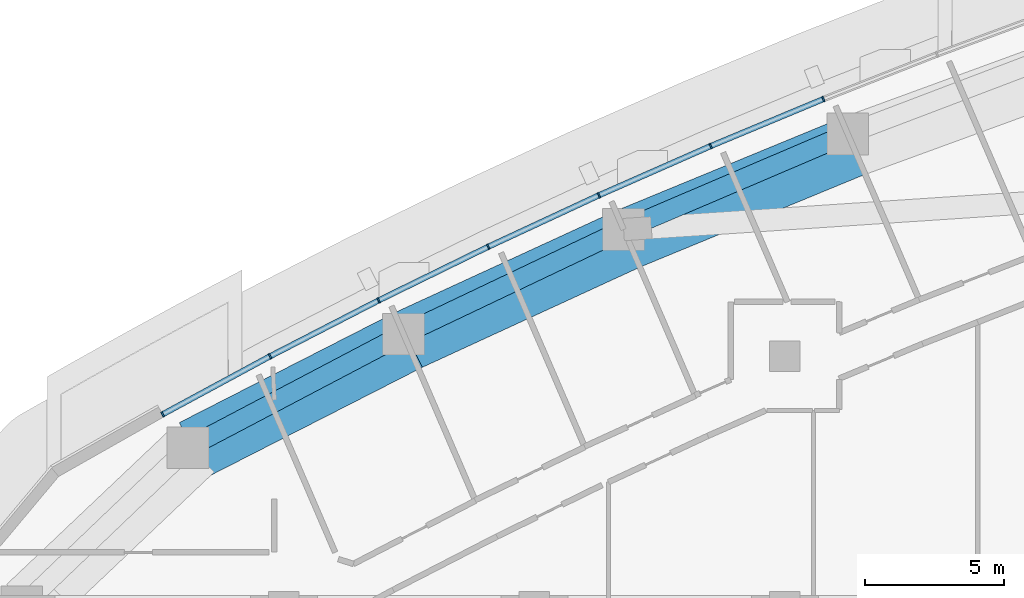
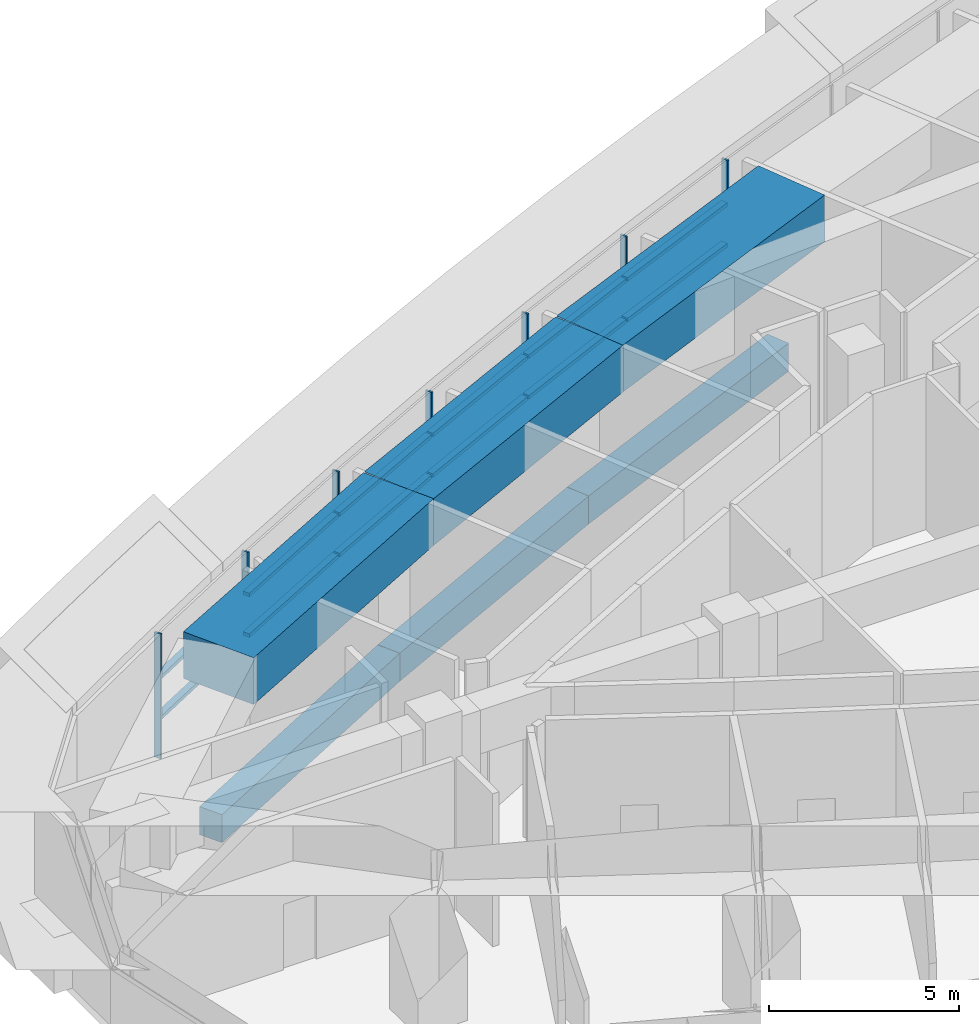
# One storey, part 6 of 18: 19 members, 6 beams, 4 elements without a shape of their own.
"""IFC4 building model written with IfcOpenShell, lengths in metres."""

from ifc_helpers import new_model, si_unit, direction, frame, origin, origin_2d, place, context, subcontext, project, spatial, rectangle, extrude, material, layer, layer_set, material_profile, profile_set, type_object, element, aggregate, save


model = new_model("IFC4")

# Units and contexts
model_context = context("Model", 3, precision=1e-05, world=origin(), true_north=direction((0.0, 1.0)))
body_context = subcontext(model_context, "Body", "Model", "MODEL_VIEW")
ifc_project = project(units=[si_unit("LENGTHUNIT", "METRE"), si_unit("AREAUNIT", "SQUARE_METRE"), si_unit("VOLUMEUNIT", "CUBIC_METRE"), si_unit("PLANEANGLEUNIT", "RADIAN"), si_unit("MASSUNIT", "GRAM", prefix="KILO")], contexts=[model_context])

# Site, building, storey
site_placement = place(None, origin())
site = spatial("IfcSite", under=ifc_project, at=site_placement, CompositionType="ELEMENT")
building_placement = place(site_placement, origin())
building = spatial("IfcBuilding", under=site, at=building_placement, Name="Ostrand Prow Hotel Tower", CompositionType="ELEMENT")
storey_placement = place(building_placement, frame((0.0, 0.0, 165.699951171875)))
storey = spatial("IfcBuildingStorey", under=building, at=storey_placement, Name="L41", CompositionType="ELEMENT", Elevation=165.699951171875)

# Beams
ifc_material_1 = material(Name="Concrete C70/85", Category="concrete")
ifc_material_profile_1 = material_profile(ifc_material_1, rectangle(XDim=2.199951171875, YDim=1.5, at=origin_2d()), Name="RC 2200x1500")
ifc_profile_set_1 = profile_set([ifc_material_profile_1], Name="Concrete C70/85")
beam_type_1 = type_object("IfcBeamType", Name="Belt girder 2200x1500 C70/85", PredefinedType="BEAM", material=ifc_profile_set_1)
beam_1_placement = place(storey_placement, frame((36.4013671875, 16.522216796875, 4.150146484375), z_axis=(-0.92457736963, -0.380994340599, 0.0), x_axis=(0.380994340599, -0.92457736963, 0.0)))
element("IfcBeam", 1, at=beam_1_placement, inside=storey, type_object=beam_type_1, Name="Belt girder N3-N4", PredefinedType="BEAM", context=body_context, shape_type="SweptSolid", body=[
    extrude(rectangle(XDim=2.199951171875, YDim=1.5, at=origin_2d()), origin(), (0.0, 0.0, 1.0), 8.686767578125),
])
beam_2_placement = place(storey_placement, frame((28.369873046875, 13.212646484375, 4.150146484375), z_axis=(-0.908400590307, -0.418100905918, 0.0), x_axis=(0.418100905918, -0.908400590307, 0.0)))
element("IfcBeam", 2, at=beam_2_placement, inside=storey, type_object=beam_type_1, Name="Belt girder N4-N5", PredefinedType="BEAM", context=body_context, shape_type="SweptSolid", body=[
    extrude(rectangle(XDim=2.199951171875, YDim=1.5, at=origin_2d()), origin(), (0.0, 0.0, 1.0), 8.68701171875),
])
beam_3_placement = place(storey_placement, frame((20.478515625, 9.58056640625, 4.150146484375), z_axis=(-0.890726573441, -0.454539515737, 0.0), x_axis=(0.454539515737, -0.890726573441, 0.0)))
element("IfcBeam", 3, at=beam_3_placement, inside=storey, type_object=beam_type_1, Name="Belt girder N5-N6", PredefinedType="BEAM", context=body_context, shape_type="SweptSolid", body=[
    extrude(rectangle(XDim=2.199951171875, YDim=1.5, at=origin_2d()), origin(), (0.0, 0.0, 1.0), 8.686767578125),
])
ifc_material_2 = material(Name="Concrete C70/85", Category="concrete")
ifc_material_profile_2 = material_profile(ifc_material_2, rectangle(XDim=0.699951171875, YDim=0.89990234375, at=origin_2d()), Name="RC 700x900")
ifc_profile_set_2 = profile_set([ifc_material_profile_2], Name="Concrete C70/85")
beam_type_2 = type_object("IfcBeamType", Name="Edge beam 700x900 C70/85", PredefinedType="SPANDREL", material=ifc_profile_set_2)
for number, where, z_axis, x_axis, name in (
    (4, (36.255615234375, 16.98388671875, -0.849853515625), (-0.919700966994, -0.392619575811, 0.0), (0.392619575811, -0.919700966994, 0.0), "Edge beam N3-N4"),
    (5, (28.205078125, 13.547119140625, -0.849853515625), (-0.903083113352, -0.429465819803, 0.0), (0.429465819803, -0.903083113352, 0.0), "Edge beam N4-N5"),
    (6, (20.300048828125, 9.787841796875, -0.849853515625), (-0.885016215308, -0.465560198731, 0.0), (0.465560198731, -0.885016215308, 0.0), "Edge beam N5-N6"),
):
    element("IfcBeam", number, at=place(storey_placement, frame(where, z_axis=z_axis, x_axis=x_axis)), inside=storey, type_object=beam_type_2, Name=name, PredefinedType="SPANDREL", context=body_context, shape_type="SweptSolid", body=[
        extrude(rectangle(XDim=0.699951171875, YDim=0.89990234375, at=origin_2d()), origin(), (0.0, 0.0, 1.0), 8.75341796875),
    ])

# Curtain wall, member
ifc_material_3 = material(Name="Insulated glass in bronze anodised frame", Category="glass")
ifc_layer = layer(ifc_material_3, 0.199951171875)
ifc_layer_set = layer_set([ifc_layer], Name="Insulated glass in bronze anodised frame")
curtain_wall_type = type_object("IfcCurtainWallType", Name="Plant storey louvre wall", PredefinedType="NOTDEFINED", material=ifc_layer_set)
curtain_wall_1_placement = place(storey_placement, origin())
curtain_wall_1 = element("IfcCurtainWall", 7, at=curtain_wall_1_placement, inside=storey, type_object=curtain_wall_type, Name="CW7 run CWN2", PredefinedType="NOTDEFINED")
ifc_material_4 = material(Name="Bronze anodised aluminium", Category="aluminium")
ifc_material_profile_3 = material_profile(ifc_material_4, rectangle(XDim=0.199951171875, YDim=0.06005859375, at=origin_2d()), Name="Mullion 60x200 bronze anodised aluminium")
ifc_profile_set_3 = profile_set([ifc_material_profile_3], Name="Bronze anodised aluminium")
member_type_1 = type_object("IfcMemberType", Name="Mullion 60x200 bronze anodised aluminium", PredefinedType="MULLION", material=ifc_profile_set_3)
member_1_placement = place(storey_placement, frame((35.380615234375, 18.235107421875, 0.900146484375), z_axis=(0.0, 0.0, 1.0), x_axis=(0.366116334636, -0.930569089059, 0.0)))
member_1 = element("IfcMember", 8, at=member_1_placement, type_object=member_type_1, Name="CW7 mullion 3", PredefinedType="MULLION", context=body_context, shape_type="SweptSolid", body=[
    extrude(rectangle(XDim=0.199951171875, YDim=0.06005859375, at=origin_2d()), origin(), (0.0, 0.0, 1.0), 4.0),
])
aggregate(curtain_wall_1, [member_1])

# Curtain wall, members
curtain_wall_2_placement = place(storey_placement, origin())
curtain_wall_2 = element("IfcCurtainWall", 9, at=curtain_wall_2_placement, inside=storey, type_object=curtain_wall_type, Name="CW7 run CWN3", PredefinedType="NOTDEFINED")
member_2_placement = place(storey_placement, frame((31.332275390625, 16.54736328125, 0.900146484375), z_axis=(0.0, 0.0, 1.0), x_axis=(0.403213113347, -0.915106105993, 0.0)))
member_2 = element("IfcMember", 10, at=member_2_placement, type_object=member_type_1, Name="CW7 mullion 2", PredefinedType="MULLION", context=body_context, shape_type="SweptSolid", body=[
    extrude(rectangle(XDim=0.199951171875, YDim=0.06005859375, at=origin_2d()), origin(), (0.0, 0.0, 1.0), 4.0),
])
member_3_placement = place(storey_placement, frame((27.318359375, 14.77880859375, 0.900146484375), z_axis=(0.0, 0.0, 1.0), x_axis=(0.403213113347, -0.915106105993, 0.0)))
member_3 = element("IfcMember", 11, at=member_3_placement, type_object=member_type_1, Name="CW7 mullion 3", PredefinedType="MULLION", context=body_context, shape_type="SweptSolid", body=[
    extrude(rectangle(XDim=0.199951171875, YDim=0.06005859375, at=origin_2d()), origin(), (0.0, 0.0, 1.0), 4.0),
])

curtain_wall_3_placement = place(storey_placement, origin())
curtain_wall_3 = element("IfcCurtainWall", 12, at=curtain_wall_3_placement, inside=storey, type_object=curtain_wall_type, Name="CW7 run CWN4", PredefinedType="NOTDEFINED")
member_4_placement = place(storey_placement, frame((23.341064453125, 12.93017578125, 0.900146484375), z_axis=(0.0, 0.0, 1.0), x_axis=(0.439658592061, -0.898164975061, 0.0)))
member_4 = element("IfcMember", 13, at=member_4_placement, type_object=member_type_1, Name="CW7 mullion 2", PredefinedType="MULLION", context=body_context, shape_type="SweptSolid", body=[
    extrude(rectangle(XDim=0.199951171875, YDim=0.06005859375, at=origin_2d()), origin(), (0.0, 0.0, 1.0), 4.0),
])
member_5_placement = place(storey_placement, frame((19.401611328125, 11.001708984375, 0.900146484375), z_axis=(0.0, 0.0, 1.0), x_axis=(0.439658592061, -0.898164975061, 0.0)))
member_5 = element("IfcMember", 14, at=member_5_placement, type_object=member_type_1, Name="CW7 mullion 3", PredefinedType="MULLION", context=body_context, shape_type="SweptSolid", body=[
    extrude(rectangle(XDim=0.199951171875, YDim=0.06005859375, at=origin_2d()), origin(), (0.0, 0.0, 1.0), 4.0),
])

curtain_wall_4_placement = place(storey_placement, origin())
curtain_wall_4 = element("IfcCurtainWall", 15, at=curtain_wall_4_placement, inside=storey, type_object=curtain_wall_type, Name="CW7 run CWN5", PredefinedType="NOTDEFINED")
member_6_placement = place(storey_placement, frame((15.501708984375, 8.99462890625, 0.900146484375), z_axis=(0.0, 0.0, 1.0), x_axis=(0.475393901316, -0.879773060847, 0.0)))
member_6 = element("IfcMember", 16, at=member_6_placement, type_object=member_type_1, Name="CW7 mullion 2", PredefinedType="MULLION", context=body_context, shape_type="SweptSolid", body=[
    extrude(rectangle(XDim=0.199951171875, YDim=0.06005859375, at=origin_2d()), origin(), (0.0, 0.0, 1.0), 4.0),
])
member_7_placement = place(storey_placement, frame((11.64306640625, 6.909423828125, 0.900146484375), z_axis=(0.0, 0.0, 1.0), x_axis=(0.475393901316, -0.879773060847, 0.0)))
member_7 = element("IfcMember", 17, at=member_7_placement, type_object=member_type_1, Name="CW7 mullion 3", PredefinedType="MULLION", context=body_context, shape_type="SweptSolid", body=[
    extrude(rectangle(XDim=0.199951171875, YDim=0.06005859375, at=origin_2d()), origin(), (0.0, 0.0, 1.0), 4.0),
])

# Member
ifc_material_5 = material(Name="Bronze anodised aluminium", Category="aluminium")
ifc_material_profile_4 = material_profile(ifc_material_5, rectangle(XDim=0.199951171875, YDim=0.1201171875, at=origin_2d()), Name="Transom 120x200 bronze anodised aluminium")
ifc_profile_set_4 = profile_set([ifc_material_profile_4], Name="Bronze anodised aluminium")
member_type_2 = type_object("IfcMemberType", Name="Transom 120x200 bronze anodised aluminium", PredefinedType="USERDEFINED", material=ifc_profile_set_4)
member_8_placement = place(storey_placement, frame((35.352783203125, 18.223388671875, 2.199951171875), z_axis=(-0.923028493412, -0.384731595206, 0.0), x_axis=(0.384731595206, -0.923028493412, 0.0)))
member_8 = element("IfcMember", 18, at=member_8_placement, type_object=member_type_2, Name="CW7 transom 1.1", ObjectType="TRANSOM", PredefinedType="USERDEFINED", context=body_context, shape_type="SweptSolid", body=[
    extrude(rectangle(XDim=0.199951171875, YDim=0.1201171875, at=origin_2d()), origin(), (0.0, 0.0, 1.0), 4.325927734375),
])

member_9_placement = place(storey_placement, frame((35.352783203125, 18.223388671875, 3.5), z_axis=(-0.923028493412, -0.384731595206, 0.0), x_axis=(0.384731595206, -0.923028493412, 0.0)))
member_9 = element("IfcMember", 19, at=member_9_placement, type_object=member_type_2, Name="CW7 transom 1.2", ObjectType="TRANSOM", PredefinedType="USERDEFINED", context=body_context, shape_type="SweptSolid", body=[
    extrude(rectangle(XDim=0.199951171875, YDim=0.1201171875, at=origin_2d()), origin(), (0.0, 0.0, 1.0), 4.325927734375),
])

member_10_placement = place(storey_placement, frame((31.3046875, 16.535400390625, 2.199951171875), z_axis=(-0.91509853977, -0.403230284715, 0.0), x_axis=(0.403230284715, -0.91509853977, 0.0)))
member_10 = element("IfcMember", 20, at=member_10_placement, type_object=member_type_2, Name="CW7 transom 2.1", ObjectType="TRANSOM", PredefinedType="USERDEFINED", context=body_context, shape_type="SweptSolid", body=[
    extrude(rectangle(XDim=0.199951171875, YDim=0.1201171875, at=origin_2d()), origin(), (0.0, 0.0, 1.0), 4.325927734375),
])

member_11_placement = place(storey_placement, frame((31.3046875, 16.535400390625, 3.5), z_axis=(-0.91509853977, -0.403230284715, 0.0), x_axis=(0.403230284715, -0.91509853977, 0.0)))
member_11 = element("IfcMember", 21, at=member_11_placement, type_object=member_type_2, Name="CW7 transom 2.2", ObjectType="TRANSOM", PredefinedType="USERDEFINED", context=body_context, shape_type="SweptSolid", body=[
    extrude(rectangle(XDim=0.199951171875, YDim=0.1201171875, at=origin_2d()), origin(), (0.0, 0.0, 1.0), 4.325927734375),
])

aggregate(curtain_wall_2, [member_2, member_3, member_8, member_9, member_10, member_11])

member_12_placement = place(storey_placement, frame((27.291259765625, 14.766357421875, 2.199951171875), z_axis=(-0.906796377468, -0.421568890944, 0.0), x_axis=(0.421568890944, -0.906796377468, 0.0)))
member_12 = element("IfcMember", 22, at=member_12_placement, type_object=member_type_2, Name="CW7 transom 1.1", ObjectType="TRANSOM", PredefinedType="USERDEFINED", context=body_context, shape_type="SweptSolid", body=[
    extrude(rectangle(XDim=0.199951171875, YDim=0.1201171875, at=origin_2d()), origin(), (0.0, 0.0, 1.0), 4.326171875),
])

member_13_placement = place(storey_placement, frame((27.291259765625, 14.766357421875, 3.5), z_axis=(-0.906796377468, -0.421568890944, 0.0), x_axis=(0.421568890944, -0.906796377468, 0.0)))
member_13 = element("IfcMember", 23, at=member_13_placement, type_object=member_type_2, Name="CW7 transom 1.2", ObjectType="TRANSOM", PredefinedType="USERDEFINED", context=body_context, shape_type="SweptSolid", body=[
    extrude(rectangle(XDim=0.199951171875, YDim=0.1201171875, at=origin_2d()), origin(), (0.0, 0.0, 1.0), 4.326171875),
])

member_14_placement = place(storey_placement, frame((23.314208984375, 12.9169921875, 2.199951171875), z_axis=(-0.89815413626, -0.439680733623, 0.0), x_axis=(0.439680733623, -0.89815413626, 0.0)))
member_14 = element("IfcMember", 24, at=member_14_placement, type_object=member_type_2, Name="CW7 transom 2.1", ObjectType="TRANSOM", PredefinedType="USERDEFINED", context=body_context, shape_type="SweptSolid", body=[
    extrude(rectangle(XDim=0.199951171875, YDim=0.1201171875, at=origin_2d()), origin(), (0.0, 0.0, 1.0), 4.326171875),
])

member_15_placement = place(storey_placement, frame((23.314208984375, 12.9169921875, 3.5), z_axis=(-0.89815413626, -0.439680733623, 0.0), x_axis=(0.439680733623, -0.89815413626, 0.0)))
member_15 = element("IfcMember", 25, at=member_15_placement, type_object=member_type_2, Name="CW7 transom 2.2", ObjectType="TRANSOM", PredefinedType="USERDEFINED", context=body_context, shape_type="SweptSolid", body=[
    extrude(rectangle(XDim=0.199951171875, YDim=0.1201171875, at=origin_2d()), origin(), (0.0, 0.0, 1.0), 4.326171875),
])

aggregate(curtain_wall_3, [member_4, member_5, member_12, member_13, member_14, member_15])

member_16_placement = place(storey_placement, frame((19.375, 10.988037109375, 2.199951171875), z_axis=(-0.88914020052, -0.457634902318, 0.0), x_axis=(0.457634902318, -0.88914020052, 0.0)))
member_16 = element("IfcMember", 26, at=member_16_placement, type_object=member_type_2, Name="CW7 transom 1.1", ObjectType="TRANSOM", PredefinedType="USERDEFINED", context=body_context, shape_type="SweptSolid", body=[
    extrude(rectangle(XDim=0.199951171875, YDim=0.1201171875, at=origin_2d()), origin(), (0.0, 0.0, 1.0), 4.325927734375),
])

member_17_placement = place(storey_placement, frame((19.375, 10.988037109375, 3.5), z_axis=(-0.88914020052, -0.457634902318, 0.0), x_axis=(0.457634902318, -0.88914020052, 0.0)))
member_17 = element("IfcMember", 27, at=member_17_placement, type_object=member_type_2, Name="CW7 transom 1.2", ObjectType="TRANSOM", PredefinedType="USERDEFINED", context=body_context, shape_type="SweptSolid", body=[
    extrude(rectangle(XDim=0.199951171875, YDim=0.1201171875, at=origin_2d()), origin(), (0.0, 0.0, 1.0), 4.325927734375),
])

member_18_placement = place(storey_placement, frame((15.475341796875, 8.980224609375, 2.199951171875), z_axis=(-0.879765206929, -0.475408435639, 0.0), x_axis=(0.475408435639, -0.879765206929, 0.0)))
member_18 = element("IfcMember", 28, at=member_18_placement, type_object=member_type_2, Name="CW7 transom 2.1", ObjectType="TRANSOM", PredefinedType="USERDEFINED", context=body_context, shape_type="SweptSolid", body=[
    extrude(rectangle(XDim=0.199951171875, YDim=0.1201171875, at=origin_2d()), origin(), (0.0, 0.0, 1.0), 4.326171875),
])

member_19_placement = place(storey_placement, frame((15.475341796875, 8.980224609375, 3.5), z_axis=(-0.879765206929, -0.475408435639, 0.0), x_axis=(0.475408435639, -0.879765206929, 0.0)))
member_19 = element("IfcMember", 29, at=member_19_placement, type_object=member_type_2, Name="CW7 transom 2.2", ObjectType="TRANSOM", PredefinedType="USERDEFINED", context=body_context, shape_type="SweptSolid", body=[
    extrude(rectangle(XDim=0.199951171875, YDim=0.1201171875, at=origin_2d()), origin(), (0.0, 0.0, 1.0), 4.326171875),
])

aggregate(curtain_wall_4, [member_6, member_7, member_16, member_17, member_18, member_19])

save(model, "model.ifc")
